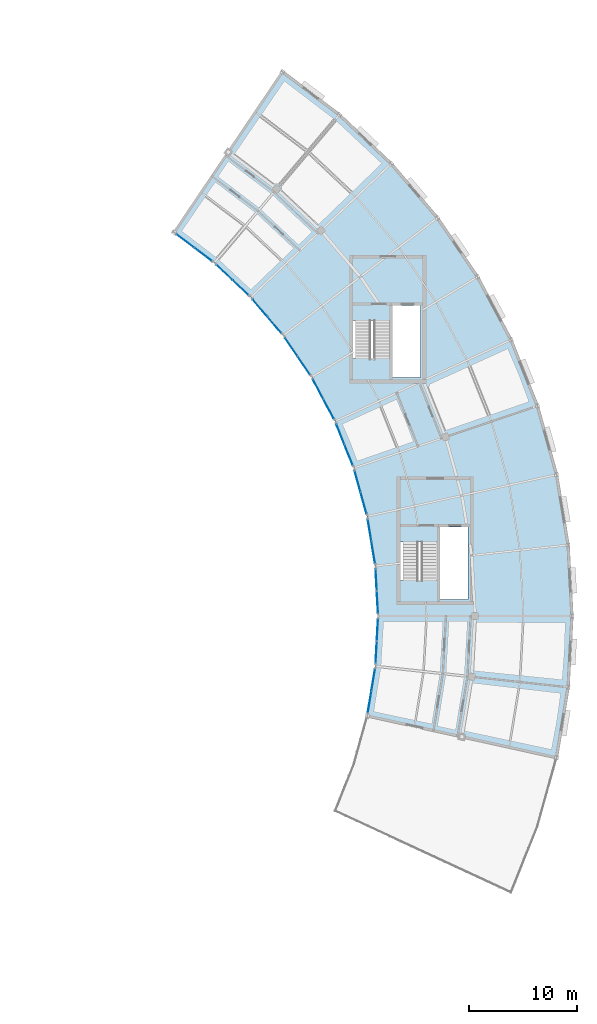
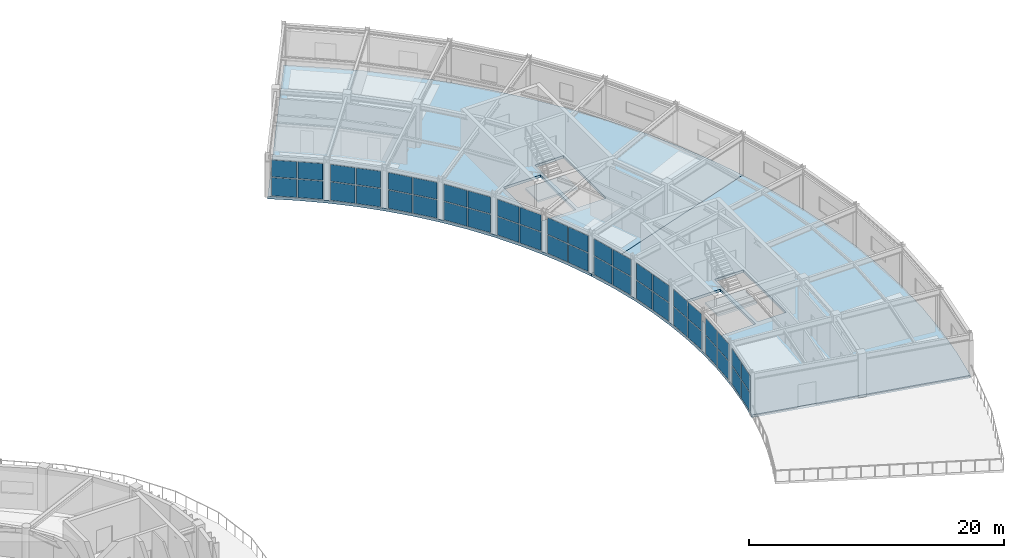
# One storey, part 43 of 63: 44 plates, 4 slabs, 13 elements without a shape of their own.
"""IFC4 building model written with IfcOpenShell, lengths in metres."""

from ifc_helpers import new_model, si_unit, direction, frame, origin, origin_2d, place, context, subcontext, project, spatial, polyline, rectangle, outline, extrude, material, layer, layer_set, type_object, element, aggregate, save


model = new_model("IFC4")

# Units and contexts
model_context = context("Model", 3, precision=1e-05, world=origin(), true_north=direction((0.0, 1.0)))
body_context = subcontext(model_context, "Body", "Model", "MODEL_VIEW")
ifc_project = project(units=[si_unit("LENGTHUNIT", "METRE"), si_unit("AREAUNIT", "SQUARE_METRE"), si_unit("VOLUMEUNIT", "CUBIC_METRE"), si_unit("PLANEANGLEUNIT", "RADIAN"), si_unit("MASSUNIT", "GRAM", prefix="KILO")], contexts=[model_context])

# Site, building, storey
site_placement = place(None, origin())
site = spatial("IfcSite", under=ifc_project, at=site_placement, CompositionType="ELEMENT")
building_placement = place(site_placement, origin())
building = spatial("IfcBuilding", under=site, at=building_placement, Name="Tarnveldt Headland Concert Hall", CompositionType="ELEMENT")
storey_placement = place(building_placement, frame((0.0, 0.0, 14.39990234375)))
storey = spatial("IfcBuildingStorey", under=building, at=storey_placement, Name="L03", CompositionType="ELEMENT", Elevation=14.39990234375)

# Curtain wall, plates
ifc_material_1 = material(Name="Marine-anodised aluminium EN AW-6063-T6", Category="aluminium")
curtain_wall_type = type_object("IfcCurtainWallType", Name="CW-C4", PredefinedType="NOTDEFINED", material=ifc_material_1)
curtain_wall_1_placement = place(storey_placement, origin())
curtain_wall_1 = element("IfcCurtainWall", 1, at=curtain_wall_1_placement, inside=storey, type_object=curtain_wall_type, Name="Curtain wall CW-L03-136", PredefinedType="NOTDEFINED")
ifc_material_2 = material(Name="Acoustic laminated low-iron double glazing", Category="glass")
ifc_layer_1 = layer(ifc_material_2, 0.02197265625, Name="Acoustic laminated low-iron double glazing", Category="glass")
ifc_layer_set_1 = layer_set([ifc_layer_1], Name="Acoustic laminated low-iron double glazing")
plate_type = type_object("IfcPlateType", Name="PN-C4", PredefinedType="CURTAIN_PANEL", material=ifc_layer_set_1)
plate_1_placement = place(storey_placement, frame((159.700439453125, 52.01611328125, 0.09033203125), z_axis=(0.0, 0.0, 1.0), x_axis=(0.162172182357, 0.986762475609, 0.0)))
plate_1 = element("IfcPlate", 2, at=plate_1_placement, type_object=plate_type, Name="Glazed panel CW-L03-136-1-1", PredefinedType="CURTAIN_PANEL", context=body_context, shape_type="SweptSolid", body=[
    extrude(rectangle(XDim=1.964599609375, YDim=0.02197265625, at=origin_2d()), origin(), (0.0, 0.0, 1.0), 1.741943359375),
])
plate_2_placement = place(storey_placement, frame((159.700439453125, 52.01611328125, 1.912109375), z_axis=(0.0, 0.0, 1.0), x_axis=(0.162172182357, 0.986762475609, 0.0)))
plate_2 = element("IfcPlate", 3, at=plate_2_placement, type_object=plate_type, Name="Glazed panel CW-L03-136-1-2", PredefinedType="CURTAIN_PANEL", context=body_context, shape_type="SweptSolid", body=[
    extrude(rectangle(XDim=1.964599609375, YDim=0.02197265625, at=origin_2d()), origin(), (0.0, 0.0, 1.0), 1.597900390625),
])
plate_3_placement = place(storey_placement, frame((160.035888671875, 54.05712890625, 0.09033203125), z_axis=(0.0, 0.0, 1.0), x_axis=(0.162172182357, 0.986762475609, 0.0)))
plate_3 = element("IfcPlate", 4, at=plate_3_placement, type_object=plate_type, Name="Glazed panel CW-L03-136-2-1", PredefinedType="CURTAIN_PANEL", context=body_context, shape_type="SweptSolid", body=[
    extrude(rectangle(XDim=1.964599609375, YDim=0.02197265625, at=origin_2d()), origin(), (0.0, 0.0, 1.0), 1.741943359375),
])
plate_4_placement = place(storey_placement, frame((160.035888671875, 54.05712890625, 1.912109375), z_axis=(0.0, 0.0, 1.0), x_axis=(0.162172182357, 0.986762475609, 0.0)))
plate_4 = element("IfcPlate", 5, at=plate_4_placement, type_object=plate_type, Name="Glazed panel CW-L03-136-2-2", PredefinedType="CURTAIN_PANEL", context=body_context, shape_type="SweptSolid", body=[
    extrude(rectangle(XDim=1.964599609375, YDim=0.02197265625, at=origin_2d()), origin(), (0.0, 0.0, 1.0), 1.597900390625),
])
aggregate(curtain_wall_1, [plate_1, plate_2, plate_3, plate_4])

curtain_wall_2_placement = place(storey_placement, origin())
curtain_wall_2 = element("IfcCurtainWall", 6, at=curtain_wall_2_placement, inside=storey, type_object=curtain_wall_type, Name="Curtain wall CW-L03-137", PredefinedType="NOTDEFINED")
plate_5_placement = place(storey_placement, frame((160.317138671875, 56.63671875, 0.09033203125), z_axis=(0.0, 0.0, 1.0), x_axis=(0.054253089686, 0.998527216584, 0.0)))
plate_5 = element("IfcPlate", 7, at=plate_5_placement, type_object=plate_type, Name="Glazed panel CW-L03-137-1-1", PredefinedType="CURTAIN_PANEL", context=body_context, shape_type="SweptSolid", body=[
    extrude(rectangle(XDim=1.964599609375, YDim=0.02197265625, at=origin_2d()), origin(), (0.0, 0.0, 1.0), 1.741943359375),
])
plate_6_placement = place(storey_placement, frame((160.317138671875, 56.63671875, 1.912109375), z_axis=(0.0, 0.0, 1.0), x_axis=(0.054253089686, 0.998527216584, 0.0)))
plate_6 = element("IfcPlate", 8, at=plate_6_placement, type_object=plate_type, Name="Glazed panel CW-L03-137-1-2", PredefinedType="CURTAIN_PANEL", context=body_context, shape_type="SweptSolid", body=[
    extrude(rectangle(XDim=1.964599609375, YDim=0.02197265625, at=origin_2d()), origin(), (0.0, 0.0, 1.0), 1.597900390625),
])
plate_7_placement = place(storey_placement, frame((160.429443359375, 58.70263671875, 0.09033203125), z_axis=(0.0, 0.0, 1.0), x_axis=(0.054253089686, 0.998527216584, 0.0)))
plate_7 = element("IfcPlate", 9, at=plate_7_placement, type_object=plate_type, Name="Glazed panel CW-L03-137-2-1", PredefinedType="CURTAIN_PANEL", context=body_context, shape_type="SweptSolid", body=[
    extrude(rectangle(XDim=1.964599609375, YDim=0.02197265625, at=origin_2d()), origin(), (0.0, 0.0, 1.0), 1.741943359375),
])
plate_8_placement = place(storey_placement, frame((160.429443359375, 58.70263671875, 1.912109375), z_axis=(0.0, 0.0, 1.0), x_axis=(0.054253089686, 0.998527216584, 0.0)))
plate_8 = element("IfcPlate", 10, at=plate_8_placement, type_object=plate_type, Name="Glazed panel CW-L03-137-2-2", PredefinedType="CURTAIN_PANEL", context=body_context, shape_type="SweptSolid", body=[
    extrude(rectangle(XDim=1.964599609375, YDim=0.02197265625, at=origin_2d()), origin(), (0.0, 0.0, 1.0), 1.597900390625),
])
aggregate(curtain_wall_2, [plate_5, plate_6, plate_7, plate_8])

curtain_wall_3_placement = place(storey_placement, origin())
curtain_wall_3 = element("IfcCurtainWall", 11, at=curtain_wall_3_placement, inside=storey, type_object=curtain_wall_type, Name="Curtain wall CW-L03-138", PredefinedType="NOTDEFINED")
plate_9_placement = place(storey_placement, frame((160.429443359375, 61.29736328125, 0.09033203125), z_axis=(0.0, 0.0, 1.0), x_axis=(-0.054253089686, 0.998527216584, 0.0)))
plate_9 = element("IfcPlate", 12, at=plate_9_placement, type_object=plate_type, Name="Glazed panel CW-L03-138-1-1", PredefinedType="CURTAIN_PANEL", context=body_context, shape_type="SweptSolid", body=[
    extrude(rectangle(XDim=1.964599609375, YDim=0.02197265625, at=origin_2d()), origin(), (0.0, 0.0, 1.0), 1.741943359375),
])
plate_10_placement = place(storey_placement, frame((160.429443359375, 61.29736328125, 1.912109375), z_axis=(0.0, 0.0, 1.0), x_axis=(-0.054253089686, 0.998527216584, 0.0)))
plate_10 = element("IfcPlate", 13, at=plate_10_placement, type_object=plate_type, Name="Glazed panel CW-L03-138-1-2", PredefinedType="CURTAIN_PANEL", context=body_context, shape_type="SweptSolid", body=[
    extrude(rectangle(XDim=1.964599609375, YDim=0.02197265625, at=origin_2d()), origin(), (0.0, 0.0, 1.0), 1.597900390625),
])
plate_11_placement = place(storey_placement, frame((160.317138671875, 63.36328125, 0.09033203125), z_axis=(0.0, 0.0, 1.0), x_axis=(-0.054253089686, 0.998527216584, 0.0)))
plate_11 = element("IfcPlate", 14, at=plate_11_placement, type_object=plate_type, Name="Glazed panel CW-L03-138-2-1", PredefinedType="CURTAIN_PANEL", context=body_context, shape_type="SweptSolid", body=[
    extrude(rectangle(XDim=1.964599609375, YDim=0.02197265625, at=origin_2d()), origin(), (0.0, 0.0, 1.0), 1.741943359375),
])
plate_12_placement = place(storey_placement, frame((160.317138671875, 63.36328125, 1.912109375), z_axis=(0.0, 0.0, 1.0), x_axis=(-0.054253089686, 0.998527216584, 0.0)))
plate_12 = element("IfcPlate", 15, at=plate_12_placement, type_object=plate_type, Name="Glazed panel CW-L03-138-2-2", PredefinedType="CURTAIN_PANEL", context=body_context, shape_type="SweptSolid", body=[
    extrude(rectangle(XDim=1.964599609375, YDim=0.02197265625, at=origin_2d()), origin(), (0.0, 0.0, 1.0), 1.597900390625),
])
aggregate(curtain_wall_3, [plate_9, plate_10, plate_11, plate_12])

curtain_wall_4_placement = place(storey_placement, origin())
curtain_wall_4 = element("IfcCurtainWall", 16, at=curtain_wall_4_placement, inside=storey, type_object=curtain_wall_type, Name="Curtain wall CW-L03-139", PredefinedType="NOTDEFINED")
plate_13_placement = place(storey_placement, frame((160.035888671875, 65.94287109375, 0.09033203125), z_axis=(0.0, 0.0, 1.0), x_axis=(-0.162172182357, 0.986762475609, 0.0)))
plate_13 = element("IfcPlate", 17, at=plate_13_placement, type_object=plate_type, Name="Glazed panel CW-L03-139-1-1", PredefinedType="CURTAIN_PANEL", context=body_context, shape_type="SweptSolid", body=[
    extrude(rectangle(XDim=1.964599609375, YDim=0.02197265625, at=origin_2d()), origin(), (0.0, 0.0, 1.0), 1.741943359375),
])
plate_14_placement = place(storey_placement, frame((160.035888671875, 65.94287109375, 1.912109375), z_axis=(0.0, 0.0, 1.0), x_axis=(-0.162172182357, 0.986762475609, 0.0)))
plate_14 = element("IfcPlate", 18, at=plate_14_placement, type_object=plate_type, Name="Glazed panel CW-L03-139-1-2", PredefinedType="CURTAIN_PANEL", context=body_context, shape_type="SweptSolid", body=[
    extrude(rectangle(XDim=1.964599609375, YDim=0.02197265625, at=origin_2d()), origin(), (0.0, 0.0, 1.0), 1.597900390625),
])
plate_15_placement = place(storey_placement, frame((159.700439453125, 67.98388671875, 0.09033203125), z_axis=(0.0, 0.0, 1.0), x_axis=(-0.162172182357, 0.986762475609, 0.0)))
plate_15 = element("IfcPlate", 19, at=plate_15_placement, type_object=plate_type, Name="Glazed panel CW-L03-139-2-1", PredefinedType="CURTAIN_PANEL", context=body_context, shape_type="SweptSolid", body=[
    extrude(rectangle(XDim=1.964599609375, YDim=0.02197265625, at=origin_2d()), origin(), (0.0, 0.0, 1.0), 1.741943359375),
])
plate_16_placement = place(storey_placement, frame((159.700439453125, 67.98388671875, 1.912109375), z_axis=(0.0, 0.0, 1.0), x_axis=(-0.162172182357, 0.986762475609, 0.0)))
plate_16 = element("IfcPlate", 20, at=plate_16_placement, type_object=plate_type, Name="Glazed panel CW-L03-139-2-2", PredefinedType="CURTAIN_PANEL", context=body_context, shape_type="SweptSolid", body=[
    extrude(rectangle(XDim=1.964599609375, YDim=0.02197265625, at=origin_2d()), origin(), (0.0, 0.0, 1.0), 1.597900390625),
])
aggregate(curtain_wall_4, [plate_13, plate_14, plate_15, plate_16])

curtain_wall_5_placement = place(storey_placement, origin())
curtain_wall_5 = element("IfcCurtainWall", 21, at=curtain_wall_5_placement, inside=storey, type_object=curtain_wall_type, Name="Curtain wall CW-L03-140", PredefinedType="NOTDEFINED")
plate_17_placement = place(storey_placement, frame((159.141357421875, 70.51806640625, 0.09033203125), z_axis=(0.0, 0.0, 1.0), x_axis=(-0.26814645756, 0.963378159031, 0.0)))
plate_17 = element("IfcPlate", 22, at=plate_17_placement, type_object=plate_type, Name="Glazed panel CW-L03-140-1-1", PredefinedType="CURTAIN_PANEL", context=body_context, shape_type="SweptSolid", body=[
    extrude(rectangle(XDim=1.964599609375, YDim=0.02197265625, at=origin_2d()), origin(), (0.0, 0.0, 1.0), 1.741943359375),
])
plate_18_placement = place(storey_placement, frame((159.141357421875, 70.51806640625, 1.912109375), z_axis=(0.0, 0.0, 1.0), x_axis=(-0.26814645756, 0.963378159031, 0.0)))
plate_18 = element("IfcPlate", 23, at=plate_18_placement, type_object=plate_type, Name="Glazed panel CW-L03-140-1-2", PredefinedType="CURTAIN_PANEL", context=body_context, shape_type="SweptSolid", body=[
    extrude(rectangle(XDim=1.964599609375, YDim=0.02197265625, at=origin_2d()), origin(), (0.0, 0.0, 1.0), 1.597900390625),
])
plate_19_placement = place(storey_placement, frame((158.58642578125, 72.510986328125, 0.09033203125), z_axis=(0.0, 0.0, 1.0), x_axis=(-0.26814645756, 0.963378159031, 0.0)))
plate_19 = element("IfcPlate", 24, at=plate_19_placement, type_object=plate_type, Name="Glazed panel CW-L03-140-2-1", PredefinedType="CURTAIN_PANEL", context=body_context, shape_type="SweptSolid", body=[
    extrude(rectangle(XDim=1.964599609375, YDim=0.02197265625, at=origin_2d()), origin(), (0.0, 0.0, 1.0), 1.741943359375),
])
plate_20_placement = place(storey_placement, frame((158.58642578125, 72.510986328125, 1.912109375), z_axis=(0.0, 0.0, 1.0), x_axis=(-0.26814645756, 0.963378159031, 0.0)))
plate_20 = element("IfcPlate", 25, at=plate_20_placement, type_object=plate_type, Name="Glazed panel CW-L03-140-2-2", PredefinedType="CURTAIN_PANEL", context=body_context, shape_type="SweptSolid", body=[
    extrude(rectangle(XDim=1.964599609375, YDim=0.02197265625, at=origin_2d()), origin(), (0.0, 0.0, 1.0), 1.597900390625),
])
aggregate(curtain_wall_5, [plate_17, plate_18, plate_19, plate_20])

curtain_wall_6_placement = place(storey_placement, origin())
curtain_wall_6 = element("IfcCurtainWall", 26, at=curtain_wall_6_placement, inside=storey, type_object=curtain_wall_type, Name="Curtain wall CW-L03-141", PredefinedType="NOTDEFINED")
plate_21_placement = place(storey_placement, frame((157.756103515625, 74.96923828125, 0.09033203125), z_axis=(0.0, 0.0, 1.0), x_axis=(-0.371027502784, 0.928621877934, 0.0)))
plate_21 = element("IfcPlate", 27, at=plate_21_placement, type_object=plate_type, Name="Glazed panel CW-L03-141-1-1", PredefinedType="CURTAIN_PANEL", context=body_context, shape_type="SweptSolid", body=[
    extrude(rectangle(XDim=1.964599609375, YDim=0.02197265625, at=origin_2d()), origin(), (0.0, 0.0, 1.0), 1.741943359375),
])
plate_22_placement = place(storey_placement, frame((157.756103515625, 74.96923828125, 1.912109375), z_axis=(0.0, 0.0, 1.0), x_axis=(-0.371027502784, 0.928621877934, 0.0)))
plate_22 = element("IfcPlate", 28, at=plate_22_placement, type_object=plate_type, Name="Glazed panel CW-L03-141-1-2", PredefinedType="CURTAIN_PANEL", context=body_context, shape_type="SweptSolid", body=[
    extrude(rectangle(XDim=1.964599609375, YDim=0.02197265625, at=origin_2d()), origin(), (0.0, 0.0, 1.0), 1.597900390625),
])
plate_23_placement = place(storey_placement, frame((156.988525390625, 76.890380859375, 0.09033203125), z_axis=(0.0, 0.0, 1.0), x_axis=(-0.371027502784, 0.928621877934, 0.0)))
plate_23 = element("IfcPlate", 29, at=plate_23_placement, type_object=plate_type, Name="Glazed panel CW-L03-141-2-1", PredefinedType="CURTAIN_PANEL", context=body_context, shape_type="SweptSolid", body=[
    extrude(rectangle(XDim=1.964599609375, YDim=0.02197265625, at=origin_2d()), origin(), (0.0, 0.0, 1.0), 1.741943359375),
])
plate_24_placement = place(storey_placement, frame((156.988525390625, 76.890380859375, 1.912109375), z_axis=(0.0, 0.0, 1.0), x_axis=(-0.371027502784, 0.928621877934, 0.0)))
plate_24 = element("IfcPlate", 30, at=plate_24_placement, type_object=plate_type, Name="Glazed panel CW-L03-141-2-2", PredefinedType="CURTAIN_PANEL", context=body_context, shape_type="SweptSolid", body=[
    extrude(rectangle(XDim=1.964599609375, YDim=0.02197265625, at=origin_2d()), origin(), (0.0, 0.0, 1.0), 1.597900390625),
])
aggregate(curtain_wall_6, [plate_21, plate_22, plate_23, plate_24])

curtain_wall_7_placement = place(storey_placement, origin())
curtain_wall_7 = element("IfcCurtainWall", 31, at=curtain_wall_7_placement, inside=storey, type_object=curtain_wall_type, Name="Curtain wall CW-L03-142", PredefinedType="NOTDEFINED")
plate_25_placement = place(storey_placement, frame((155.896484375, 79.244384765625, 0.09033203125), z_axis=(0.0, 0.0, 1.0), x_axis=(-0.469471562786, 0.882947592859, 0.0)))
plate_25 = element("IfcPlate", 32, at=plate_25_placement, type_object=plate_type, Name="Glazed panel CW-L03-142-1-1", PredefinedType="CURTAIN_PANEL", context=body_context, shape_type="SweptSolid", body=[
    extrude(rectangle(XDim=1.964599609375, YDim=0.02197265625, at=origin_2d()), origin(), (0.0, 0.0, 1.0), 1.741943359375),
])
plate_26_placement = place(storey_placement, frame((155.896484375, 79.244384765625, 1.912109375), z_axis=(0.0, 0.0, 1.0), x_axis=(-0.469471562786, 0.882947592859, 0.0)))
plate_26 = element("IfcPlate", 33, at=plate_26_placement, type_object=plate_type, Name="Glazed panel CW-L03-142-1-2", PredefinedType="CURTAIN_PANEL", context=body_context, shape_type="SweptSolid", body=[
    extrude(rectangle(XDim=1.964599609375, YDim=0.02197265625, at=origin_2d()), origin(), (0.0, 0.0, 1.0), 1.597900390625),
])
plate_27_placement = place(storey_placement, frame((154.92529296875, 81.07080078125, 0.09033203125), z_axis=(0.0, 0.0, 1.0), x_axis=(-0.469471562786, 0.882947592859, 0.0)))
plate_27 = element("IfcPlate", 34, at=plate_27_placement, type_object=plate_type, Name="Glazed panel CW-L03-142-2-1", PredefinedType="CURTAIN_PANEL", context=body_context, shape_type="SweptSolid", body=[
    extrude(rectangle(XDim=1.964599609375, YDim=0.02197265625, at=origin_2d()), origin(), (0.0, 0.0, 1.0), 1.741943359375),
])
plate_28_placement = place(storey_placement, frame((154.92529296875, 81.07080078125, 1.912109375), z_axis=(0.0, 0.0, 1.0), x_axis=(-0.469471562786, 0.882947592859, 0.0)))
plate_28 = element("IfcPlate", 35, at=plate_28_placement, type_object=plate_type, Name="Glazed panel CW-L03-142-2-2", PredefinedType="CURTAIN_PANEL", context=body_context, shape_type="SweptSolid", body=[
    extrude(rectangle(XDim=1.964599609375, YDim=0.02197265625, at=origin_2d()), origin(), (0.0, 0.0, 1.0), 1.597900390625),
])
aggregate(curtain_wall_7, [plate_25, plate_26, plate_27, plate_28])

curtain_wall_8_placement = place(storey_placement, origin())
curtain_wall_8 = element("IfcCurtainWall", 36, at=curtain_wall_8_placement, inside=storey, type_object=curtain_wall_type, Name="Curtain wall CW-L03-143", PredefinedType="NOTDEFINED")
plate_29_placement = place(storey_placement, frame((153.58447265625, 83.29248046875, 0.09033203125), z_axis=(0.0, 0.0, 1.0), x_axis=(-0.562415343977, 0.826854872913, 0.0)))
plate_29 = element("IfcPlate", 37, at=plate_29_placement, type_object=plate_type, Name="Glazed panel CW-L03-143-1-1", PredefinedType="CURTAIN_PANEL", context=body_context, shape_type="SweptSolid", body=[
    extrude(rectangle(XDim=1.964599609375, YDim=0.02197265625, at=origin_2d()), origin(), (0.0, 0.0, 1.0), 1.741943359375),
])
plate_30_placement = place(storey_placement, frame((153.58447265625, 83.29248046875, 1.912109375), z_axis=(0.0, 0.0, 1.0), x_axis=(-0.562415343977, 0.826854872913, 0.0)))
plate_30 = element("IfcPlate", 38, at=plate_30_placement, type_object=plate_type, Name="Glazed panel CW-L03-143-1-2", PredefinedType="CURTAIN_PANEL", context=body_context, shape_type="SweptSolid", body=[
    extrude(rectangle(XDim=1.964599609375, YDim=0.02197265625, at=origin_2d()), origin(), (0.0, 0.0, 1.0), 1.597900390625),
])
plate_31_placement = place(storey_placement, frame((152.4208984375, 85.0029296875, 0.09033203125), z_axis=(0.0, 0.0, 1.0), x_axis=(-0.562415343977, 0.826854872913, 0.0)))
plate_31 = element("IfcPlate", 39, at=plate_31_placement, type_object=plate_type, Name="Glazed panel CW-L03-143-2-1", PredefinedType="CURTAIN_PANEL", context=body_context, shape_type="SweptSolid", body=[
    extrude(rectangle(XDim=1.964599609375, YDim=0.02197265625, at=origin_2d()), origin(), (0.0, 0.0, 1.0), 1.741943359375),
])
plate_32_placement = place(storey_placement, frame((152.4208984375, 85.0029296875, 1.912109375), z_axis=(0.0, 0.0, 1.0), x_axis=(-0.562415343977, 0.826854872913, 0.0)))
plate_32 = element("IfcPlate", 40, at=plate_32_placement, type_object=plate_type, Name="Glazed panel CW-L03-143-2-2", PredefinedType="CURTAIN_PANEL", context=body_context, shape_type="SweptSolid", body=[
    extrude(rectangle(XDim=1.964599609375, YDim=0.02197265625, at=origin_2d()), origin(), (0.0, 0.0, 1.0), 1.597900390625),
])
aggregate(curtain_wall_8, [plate_29, plate_30, plate_31, plate_32])

curtain_wall_9_placement = place(storey_placement, origin())
curtain_wall_9 = element("IfcCurtainWall", 41, at=curtain_wall_9_placement, inside=storey, type_object=curtain_wall_type, Name="Curtain wall CW-L03-144", PredefinedType="NOTDEFINED")
plate_33_placement = place(storey_placement, frame((150.847412109375, 87.06640625, 0.09033203125), z_axis=(0.0, 0.0, 1.0), x_axis=(-0.648717811893, 0.761029040532, 0.0)))
plate_33 = element("IfcPlate", 42, at=plate_33_placement, type_object=plate_type, Name="Glazed panel CW-L03-144-1-1", PredefinedType="CURTAIN_PANEL", context=body_context, shape_type="SweptSolid", body=[
    extrude(rectangle(XDim=1.964599609375, YDim=0.02197265625, at=origin_2d()), origin(), (0.0, 0.0, 1.0), 1.741943359375),
])
plate_34_placement = place(storey_placement, frame((150.847412109375, 87.06640625, 1.912109375), z_axis=(0.0, 0.0, 1.0), x_axis=(-0.648717811893, 0.761029040532, 0.0)))
plate_34 = element("IfcPlate", 43, at=plate_34_placement, type_object=plate_type, Name="Glazed panel CW-L03-144-1-2", PredefinedType="CURTAIN_PANEL", context=body_context, shape_type="SweptSolid", body=[
    extrude(rectangle(XDim=1.964599609375, YDim=0.02197265625, at=origin_2d()), origin(), (0.0, 0.0, 1.0), 1.597900390625),
])
plate_35_placement = place(storey_placement, frame((149.50537109375, 88.640625, 0.09033203125), z_axis=(0.0, 0.0, 1.0), x_axis=(-0.648717811893, 0.761029040532, 0.0)))
plate_35 = element("IfcPlate", 44, at=plate_35_placement, type_object=plate_type, Name="Glazed panel CW-L03-144-2-1", PredefinedType="CURTAIN_PANEL", context=body_context, shape_type="SweptSolid", body=[
    extrude(rectangle(XDim=1.964599609375, YDim=0.02197265625, at=origin_2d()), origin(), (0.0, 0.0, 1.0), 1.741943359375),
])
plate_36_placement = place(storey_placement, frame((149.50537109375, 88.640625, 1.912109375), z_axis=(0.0, 0.0, 1.0), x_axis=(-0.648717811893, 0.761029040532, 0.0)))
plate_36 = element("IfcPlate", 45, at=plate_36_placement, type_object=plate_type, Name="Glazed panel CW-L03-144-2-2", PredefinedType="CURTAIN_PANEL", context=body_context, shape_type="SweptSolid", body=[
    extrude(rectangle(XDim=1.964599609375, YDim=0.02197265625, at=origin_2d()), origin(), (0.0, 0.0, 1.0), 1.597900390625),
])
aggregate(curtain_wall_9, [plate_33, plate_34, plate_35, plate_36])

curtain_wall_10_placement = place(storey_placement, origin())
curtain_wall_10 = element("IfcCurtainWall", 46, at=curtain_wall_10_placement, inside=storey, type_object=curtain_wall_type, Name="Curtain wall CW-L03-145", PredefinedType="NOTDEFINED")
plate_37_placement = place(storey_placement, frame((147.71728515625, 90.521240234375, 0.09033203125), z_axis=(0.0, 0.0, 1.0), x_axis=(-0.727377633953, 0.686237406169, 0.0)))
plate_37 = element("IfcPlate", 47, at=plate_37_placement, type_object=plate_type, Name="Glazed panel CW-L03-145-1-1", PredefinedType="CURTAIN_PANEL", context=body_context, shape_type="SweptSolid", body=[
    extrude(rectangle(XDim=1.964599609375, YDim=0.02197265625, at=origin_2d()), origin(), (0.0, 0.0, 1.0), 1.741943359375),
])
plate_38_placement = place(storey_placement, frame((147.71728515625, 90.521240234375, 1.912109375), z_axis=(0.0, 0.0, 1.0), x_axis=(-0.727377633953, 0.686237406169, 0.0)))
plate_38 = element("IfcPlate", 48, at=plate_38_placement, type_object=plate_type, Name="Glazed panel CW-L03-145-1-2", PredefinedType="CURTAIN_PANEL", context=body_context, shape_type="SweptSolid", body=[
    extrude(rectangle(XDim=1.964599609375, YDim=0.02197265625, at=origin_2d()), origin(), (0.0, 0.0, 1.0), 1.597900390625),
])
plate_39_placement = place(storey_placement, frame((146.21240234375, 91.94091796875, 0.09033203125), z_axis=(0.0, 0.0, 1.0), x_axis=(-0.727377633953, 0.686237406169, 0.0)))
plate_39 = element("IfcPlate", 49, at=plate_39_placement, type_object=plate_type, Name="Glazed panel CW-L03-145-2-1", PredefinedType="CURTAIN_PANEL", context=body_context, shape_type="SweptSolid", body=[
    extrude(rectangle(XDim=1.964599609375, YDim=0.02197265625, at=origin_2d()), origin(), (0.0, 0.0, 1.0), 1.741943359375),
])
plate_40_placement = place(storey_placement, frame((146.21240234375, 91.94091796875, 1.912109375), z_axis=(0.0, 0.0, 1.0), x_axis=(-0.727377633953, 0.686237406169, 0.0)))
plate_40 = element("IfcPlate", 50, at=plate_40_placement, type_object=plate_type, Name="Glazed panel CW-L03-145-2-2", PredefinedType="CURTAIN_PANEL", context=body_context, shape_type="SweptSolid", body=[
    extrude(rectangle(XDim=1.964599609375, YDim=0.02197265625, at=origin_2d()), origin(), (0.0, 0.0, 1.0), 1.597900390625),
])
aggregate(curtain_wall_10, [plate_37, plate_38, plate_39, plate_40])

curtain_wall_11_placement = place(storey_placement, origin())
curtain_wall_11 = element("IfcCurtainWall", 51, at=curtain_wall_11_placement, inside=storey, type_object=curtain_wall_type, Name="Curtain wall CW-L03-146", PredefinedType="NOTDEFINED")
plate_41_placement = place(storey_placement, frame((144.231201171875, 93.616455078125, 0.09033203125), z_axis=(0.0, 0.0, 1.0), x_axis=(-0.797478637023, 0.603347183213, 0.0)))
plate_41 = element("IfcPlate", 52, at=plate_41_placement, type_object=plate_type, Name="Glazed panel CW-L03-146-1-1", PredefinedType="CURTAIN_PANEL", context=body_context, shape_type="SweptSolid", body=[
    extrude(rectangle(XDim=1.964599609375, YDim=0.02197265625, at=origin_2d()), origin(), (0.0, 0.0, 1.0), 1.741943359375),
])
plate_42_placement = place(storey_placement, frame((144.231201171875, 93.616455078125, 1.912109375), z_axis=(0.0, 0.0, 1.0), x_axis=(-0.797478637023, 0.603347183213, 0.0)))
plate_42 = element("IfcPlate", 53, at=plate_42_placement, type_object=plate_type, Name="Glazed panel CW-L03-146-1-2", PredefinedType="CURTAIN_PANEL", context=body_context, shape_type="SweptSolid", body=[
    extrude(rectangle(XDim=1.964599609375, YDim=0.02197265625, at=origin_2d()), origin(), (0.0, 0.0, 1.0), 1.597900390625),
])
plate_43_placement = place(storey_placement, frame((142.58154296875, 94.864501953125, 0.09033203125), z_axis=(0.0, 0.0, 1.0), x_axis=(-0.797478637023, 0.603347183213, 0.0)))
plate_43 = element("IfcPlate", 54, at=plate_43_placement, type_object=plate_type, Name="Glazed panel CW-L03-146-2-1", PredefinedType="CURTAIN_PANEL", context=body_context, shape_type="SweptSolid", body=[
    extrude(rectangle(XDim=1.964599609375, YDim=0.02197265625, at=origin_2d()), origin(), (0.0, 0.0, 1.0), 1.741943359375),
])
plate_44_placement = place(storey_placement, frame((142.58154296875, 94.864501953125, 1.912109375), z_axis=(0.0, 0.0, 1.0), x_axis=(-0.797478637023, 0.603347183213, 0.0)))
plate_44 = element("IfcPlate", 55, at=plate_44_placement, type_object=plate_type, Name="Glazed panel CW-L03-146-2-2", PredefinedType="CURTAIN_PANEL", context=body_context, shape_type="SweptSolid", body=[
    extrude(rectangle(XDim=1.964599609375, YDim=0.02197265625, at=origin_2d()), origin(), (0.0, 0.0, 1.0), 1.597900390625),
])
aggregate(curtain_wall_11, [plate_41, plate_42, plate_43, plate_44])

# Slabs
ifc_material_3 = material(Name="Concrete C40/50", Category="concrete")
ifc_layer_2 = layer(ifc_material_3, 0.25, Name="Concrete C40/50", Category="concrete")
ifc_layer_set_2 = layer_set([ifc_layer_2], Name="Concrete C40/50")
slab_type_1 = type_object("IfcSlabType", Name="SL-FL250", PredefinedType="FLOOR", material=ifc_layer_set_2)
slab_1_placement = place(storey_placement, frame((0.0, 0.0, -0.25)))
element("IfcSlab", 56, at=slab_1_placement, inside=storey, type_object=slab_type_1, Name="Crescent wing floor slab L03 sector 1", PredefinedType="FLOOR", context=body_context, shape_type="SweptSolid", body=[
    extrude(outline(polyline([(159.9306640625, 53.0263671875), (159.48974609375, 50.73388671875), (177.06689453125, 46.85498046875), (177.6923828125, 50.107177734375), (178.140625, 53.388427734375), (178.41015625, 56.689453125), (178.5, 60.0), (178.41015625, 63.310546875), (178.140625, 66.611572265625), (177.6923828125, 69.892822265625), (177.06689453125, 73.14501953125), (176.265625, 76.3583984375), (175.291259765625, 79.523681640625), (158.238037109375, 73.7626953125), (158.9248046875, 71.531494140625), (159.48974609375, 69.26611328125), (159.9306640625, 66.9736328125), (160.24658203125, 64.66064453125), (160.4365234375, 62.333740234375), (160.5, 60.0), (160.4365234375, 57.666259765625), (160.24658203125, 55.33935546875), (159.9306640625, 53.0263671875)]), holes=[polyline([(162.580078125, 66.8798828125), (165.9599609375, 66.8798828125), (165.9599609375, 61.3798828125), (162.580078125, 61.3798828125), (162.580078125, 66.8798828125)]), polyline([(168.840087890625, 68.260009765625), (168.840087890625, 61.56005859375), (166.239990234375, 61.56005859375), (166.239990234375, 68.260009765625), (168.840087890625, 68.260009765625)])]), origin(), (0.0, 0.0, 1.0), 0.25),
])
slab_2_placement = place(storey_placement, frame((0.0, 0.0, -0.25)))
element("IfcSlab", 57, at=slab_2_placement, inside=storey, type_object=slab_type_1, Name="Crescent wing floor slab L03 sector 2", PredefinedType="FLOOR", context=body_context, shape_type="SweptSolid", body=[
    extrude(outline(polyline([(157.43115234375, 75.953369140625), (158.238037109375, 73.7626953125), (175.291259765625, 79.523681640625), (174.146484375, 82.631591796875), (172.834716796875, 85.672607421875), (171.35986328125, 88.6376953125), (169.726318359375, 91.518798828125), (167.938720703125, 94.306640625), (166.00244140625, 96.993408203125), (163.923095703125, 99.5712890625), (161.70703125, 102.032470703125), (159.360595703125, 104.369873046875), (156.89111328125, 106.576416015625), (154.30517578125, 108.6455078125), (151.61083984375, 110.5712890625), (141.54541015625, 95.648681640625), (143.444580078125, 94.291015625), (145.267333984375, 92.83251953125), (147.00830078125, 91.277099609375), (148.662353515625, 89.62939453125), (150.224609375, 87.89453125), (151.690185546875, 86.077392578125), (153.05517578125, 84.183349609375), (154.315185546875, 82.218017578125), (155.466796875, 80.187255859375), (156.50634765625, 78.096923828125), (157.43115234375, 75.953369140625)]), holes=[polyline([(158.179931640625, 87.47998046875), (161.56005859375, 87.47998046875), (161.56005859375, 81.97998046875), (158.179931640625, 81.97998046875), (158.179931640625, 87.47998046875)]), polyline([(164.43994140625, 88.860107421875), (164.43994140625, 82.159912109375), (161.840087890625, 82.159912109375), (161.840087890625, 88.860107421875), (164.43994140625, 88.860107421875)])]), origin(), (0.0, 0.0, 1.0), 0.25),
])

# Stair, slab
stair_type = type_object("IfcStairType", Name="ST-CORE420", PredefinedType="HALF_TURN_STAIR", material=ifc_material_3)
stair_1_placement = place(storey_placement, origin())
stair_1 = element("IfcStair", 58, at=stair_1_placement, inside=storey, type_object=stair_type, Name="Exit stair STR-C3-L03", PredefinedType="HALF_TURN_STAIR")
ifc_layer_3 = layer(ifc_material_3, 0.179931640625, Name="Concrete C40/50", Category="concrete")
ifc_layer_set_3 = layer_set([ifc_layer_3], Name="Concrete C40/50")
slab_type_2 = type_object("IfcSlabType", Name="SL-STLND180", PredefinedType="LANDING", material=ifc_layer_set_3)
slab_3_placement = place(storey_placement, frame((0.0, 0.0, 1.920166015625)))
slab_3 = element("IfcSlab", 59, at=slab_3_placement, type_object=slab_type_2, Name="Stair half-landing STR-C3-L03", PredefinedType="LANDING", context=body_context, shape_type="SweptSolid", body=[
    extrude(outline(polyline([(158.1201171875, 81.919921875), (161.679931640625, 81.919921875), (161.679931640625, 83.919921875), (158.1201171875, 83.919921875), (158.1201171875, 81.919921875)])), origin(), (0.0, 0.0, 1.0), 0.179931640625),
])
aggregate(stair_1, [slab_3])

stair_2_placement = place(storey_placement, origin())
stair_2 = element("IfcStair", 60, at=stair_2_placement, inside=storey, type_object=stair_type, Name="Exit stair STR-C4-L03", PredefinedType="HALF_TURN_STAIR")
slab_4_placement = place(storey_placement, frame((0.0, 0.0, 1.920166015625)))
slab_4 = element("IfcSlab", 61, at=slab_4_placement, type_object=slab_type_2, Name="Stair half-landing STR-C4-L03", PredefinedType="LANDING", context=body_context, shape_type="SweptSolid", body=[
    extrude(outline(polyline([(162.52001953125, 61.320068359375), (166.080078125, 61.320068359375), (166.080078125, 63.320068359375), (162.52001953125, 63.320068359375), (162.52001953125, 61.320068359375)])), origin(), (0.0, 0.0, 1.0), 0.179931640625),
])
aggregate(stair_2, [slab_4])

save(model, "model.ifc")
